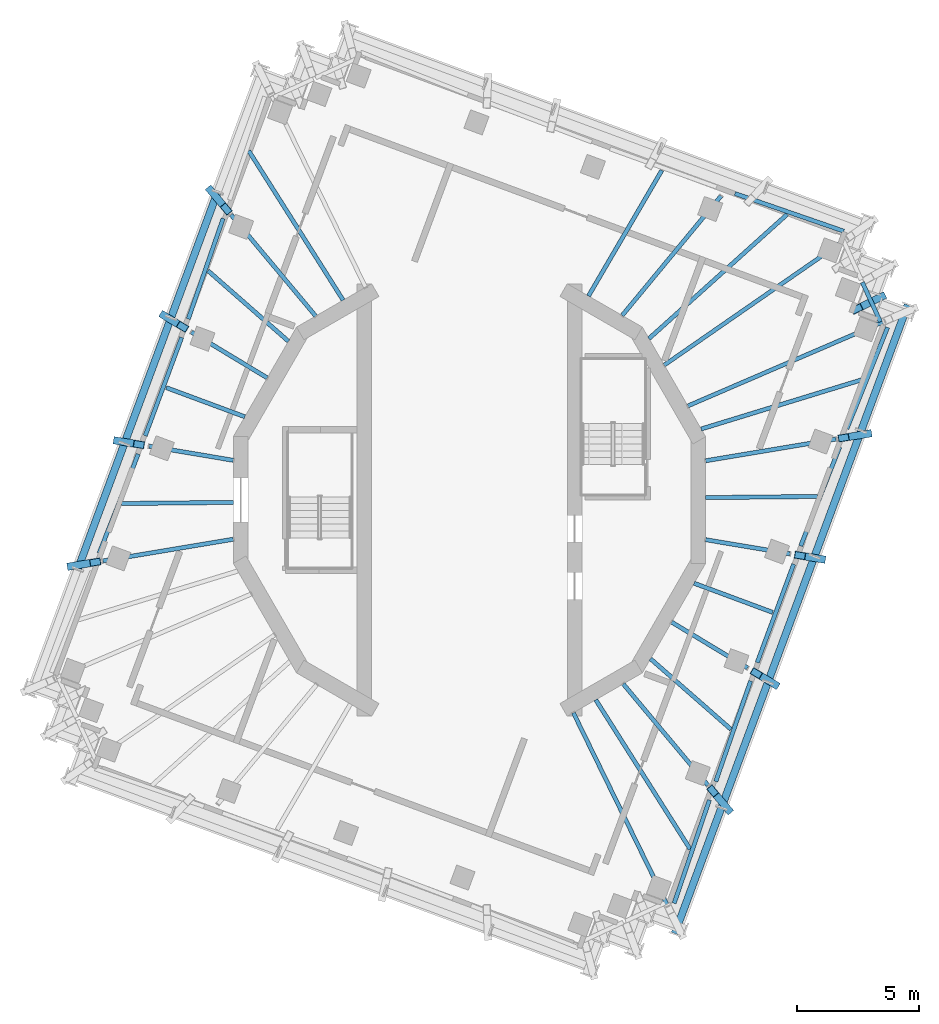
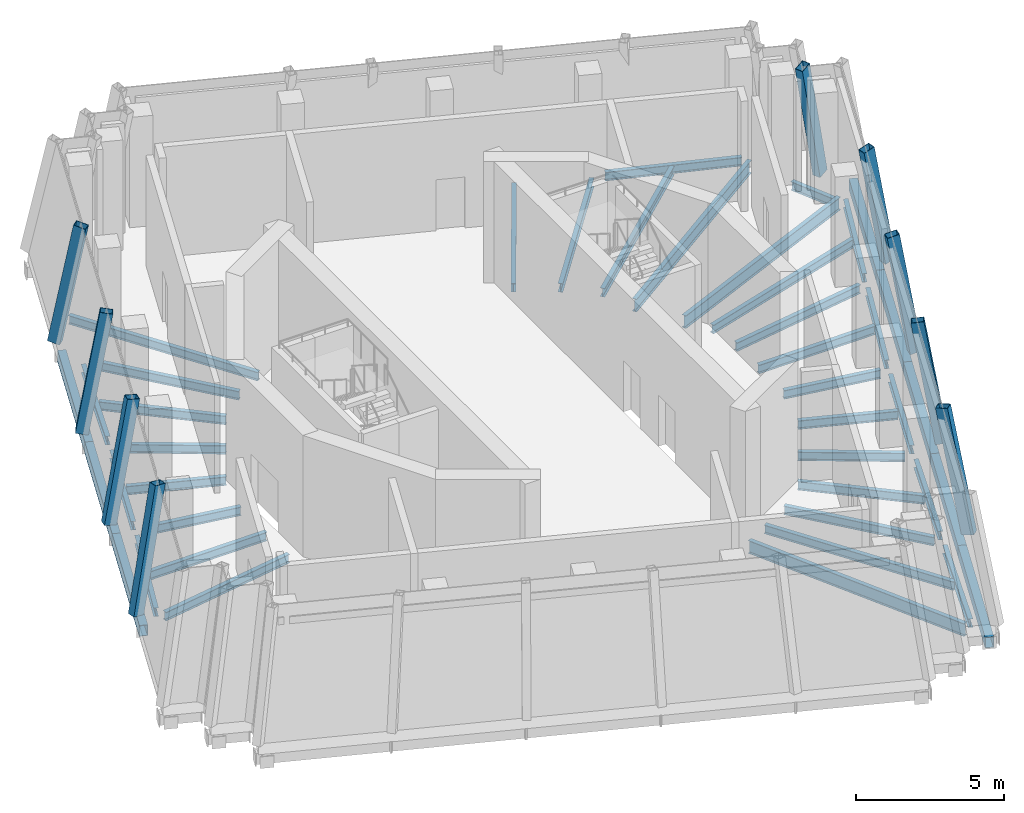
# One storey, part 2 of 13: 33 beams, 17 members, 10 elements without a shape of their own.
"""IFC4 building model written with IfcOpenShell, lengths in metres."""

from ifc_helpers import new_model, si_unit, direction, frame, origin, origin_2d, place, context, subcontext, project, spatial, hollow_rectangle, i_section, extrude, material, material_profile, profile_set, type_object, element, aggregate, save


model = new_model("IFC4")

# Units and contexts
model_context = context("Model", 3, precision=1e-05, world=origin(), true_north=direction((0.0, 1.0)))
body_context = subcontext(model_context, "Body", "Model", "MODEL_VIEW")
ifc_project = project(units=[si_unit("LENGTHUNIT", "METRE"), si_unit("AREAUNIT", "SQUARE_METRE"), si_unit("VOLUMEUNIT", "CUBIC_METRE"), si_unit("PLANEANGLEUNIT", "RADIAN"), si_unit("MASSUNIT", "GRAM", prefix="KILO")], contexts=[model_context])

# Site, building, storey
site_placement = place(None, origin())
site = spatial("IfcSite", under=ifc_project, at=site_placement, CompositionType="ELEMENT")
building_placement = place(site_placement, origin())
building = spatial("IfcBuilding", under=site, at=building_placement, Name="Cantera Rosa Tower", CompositionType="ELEMENT")
storey_placement = place(building_placement, frame((0.0, 0.0, 350.699951171875)))
storey = spatial("IfcBuildingStorey", under=building, at=storey_placement, Name="L79", CompositionType="ELEMENT", Elevation=350.699951171875)

# Curtain wall, member
ifc_material_1 = material(Name="Aluminium frame with clear glass", Category="aluminium")
curtain_wall_type = type_object("IfcCurtainWallType", Name="CW4 CROWN GLAZING", PredefinedType="NOTDEFINED", material=ifc_material_1)
curtain_wall_1_placement = place(storey_placement, origin())
curtain_wall_1 = element("IfcCurtainWall", 1, at=curtain_wall_1_placement, inside=storey, type_object=curtain_wall_type, Name="CW4 L79-11", PredefinedType="NOTDEFINED")
ifc_material_2 = material(Name="Steel S355J2 (EN 10025-2)", Category="steel")
ifc_material_profile_1 = material_profile(ifc_material_2, hollow_rectangle(XDim=0.300048828125, YDim=0.449951171875, WallThickness=0.01611328125, at=origin_2d()), Name="CROWN FRAME MULLION RHS 300x450x16")
ifc_profile_set_1 = profile_set([ifc_material_profile_1], Name="Steel S355J2 (EN 10025-2)")
member_type_1 = type_object("IfcMemberType", Name="CROWN FRAME MULLION RHS 300x450x16", PredefinedType="MULLION", material=ifc_profile_set_1)
member_1_placement = place(storey_placement, frame((-10.551513671875, 12.6220703125, 0.0), z_axis=(0.118480528563, -0.141802333699, 0.982778948955), x_axis=(0.767390470074, 0.641180057737, 0.0)))
member_1 = element("IfcMember", 2, at=member_1_placement, type_object=member_type_1, Name="CROWN FRAME rib L79-11", PredefinedType="MULLION", context=body_context, shape_type="SweptSolid", body=[
    extrude(hollow_rectangle(XDim=0.300048828125, YDim=0.449951171875, WallThickness=0.01611328125, at=origin_2d()), origin(), (0.0, 0.0, 1.0), 5.087646484375),
])

curtain_wall_2_placement = place(storey_placement, origin())
curtain_wall_2 = element("IfcCurtainWall", 3, at=curtain_wall_2_placement, inside=storey, type_object=curtain_wall_type, Name="CW4 L79-12", PredefinedType="NOTDEFINED")
member_2_placement = place(storey_placement, frame((-12.444091796875, 7.515380859375, 0.0), z_axis=(0.140312636829, -0.084727060825, 0.986475386976), x_axis=(0.516913795704, 0.856037457014, 0.0)))
member_2 = element("IfcMember", 4, at=member_2_placement, type_object=member_type_1, Name="CROWN FRAME rib L79-12", PredefinedType="MULLION", context=body_context, shape_type="SweptSolid", body=[
    extrude(hollow_rectangle(XDim=0.300048828125, YDim=0.449951171875, WallThickness=0.01611328125, at=origin_2d()), origin(), (0.0, 0.0, 1.0), 5.068603515625),
])

curtain_wall_3_placement = place(storey_placement, origin())
curtain_wall_3 = element("IfcCurtainWall", 5, at=curtain_wall_3_placement, inside=storey, type_object=curtain_wall_type, Name="CW4 L79-13", PredefinedType="NOTDEFINED")
member_3_placement = place(storey_placement, frame((-14.33642578125, 2.40869140625, 0.0), z_axis=(0.161650725547, -0.027166570086, 0.986474034326), x_axis=(0.165733088337, 0.986170646202, 0.0)))
member_3 = element("IfcMember", 6, at=member_3_placement, type_object=member_type_1, Name="CROWN FRAME rib L79-13", PredefinedType="MULLION", context=body_context, shape_type="SweptSolid", body=[
    extrude(hollow_rectangle(XDim=0.300048828125, YDim=0.449951171875, WallThickness=0.01611328125, at=origin_2d()), origin(), (0.0, 0.0, 1.0), 5.068603515625),
])

curtain_wall_4_placement = place(storey_placement, origin())
curtain_wall_4 = element("IfcCurtainWall", 7, at=curtain_wall_4_placement, inside=storey, type_object=curtain_wall_type, Name="CW4 L79-14", PredefinedType="NOTDEFINED")
member_4_placement = place(storey_placement, frame((-16.228759765625, -2.697998046875, 0.0), z_axis=(0.182302769732, 0.030327810074, 0.982774604924), x_axis=(-0.164104232371, 0.986443004394, 0.0)))
member_4 = element("IfcMember", 8, at=member_4_placement, type_object=member_type_1, Name="CROWN FRAME rib L79-14", PredefinedType="MULLION", context=body_context, shape_type="SweptSolid", body=[
    extrude(hollow_rectangle(XDim=0.300048828125, YDim=0.449951171875, WallThickness=0.01611328125, at=origin_2d()), origin(), (0.0, 0.0, 1.0), 5.087646484375),
])
aggregate(curtain_wall_4, [member_4])

curtain_wall_5_placement = place(storey_placement, origin())
curtain_wall_5 = element("IfcCurtainWall", 9, at=curtain_wall_5_placement, inside=storey, type_object=curtain_wall_type, Name="CW4 L79-29", PredefinedType="NOTDEFINED")
member_5_placement = place(storey_placement, frame((10.551513671875, -12.6220703125, 0.0), z_axis=(-0.118480528563, 0.141802333699, 0.982778948955), x_axis=(-0.767390470074, -0.641180057737, 0.0)))
member_5 = element("IfcMember", 10, at=member_5_placement, type_object=member_type_1, Name="CROWN FRAME rib L79-29", PredefinedType="MULLION", context=body_context, shape_type="SweptSolid", body=[
    extrude(hollow_rectangle(XDim=0.300048828125, YDim=0.449951171875, WallThickness=0.01611328125, at=origin_2d()), origin(), (0.0, 0.0, 1.0), 5.087646484375),
])

curtain_wall_6_placement = place(storey_placement, origin())
curtain_wall_6 = element("IfcCurtainWall", 11, at=curtain_wall_6_placement, inside=storey, type_object=curtain_wall_type, Name="CW4 L79-30", PredefinedType="NOTDEFINED")
member_6_placement = place(storey_placement, frame((12.444091796875, -7.515380859375, 0.0), z_axis=(-0.140312636829, 0.084727060825, 0.986475386976), x_axis=(-0.516913795704, -0.856037457014, 0.0)))
member_6 = element("IfcMember", 12, at=member_6_placement, type_object=member_type_1, Name="CROWN FRAME rib L79-30", PredefinedType="MULLION", context=body_context, shape_type="SweptSolid", body=[
    extrude(hollow_rectangle(XDim=0.300048828125, YDim=0.449951171875, WallThickness=0.01611328125, at=origin_2d()), origin(), (0.0, 0.0, 1.0), 5.068603515625),
])

curtain_wall_7_placement = place(storey_placement, origin())
curtain_wall_7 = element("IfcCurtainWall", 13, at=curtain_wall_7_placement, inside=storey, type_object=curtain_wall_type, Name="CW4 L79-31", PredefinedType="NOTDEFINED")
member_7_placement = place(storey_placement, frame((14.33642578125, -2.40869140625, 0.0), z_axis=(-0.161650725547, 0.027166570086, 0.986474034326), x_axis=(-0.165733088337, -0.986170646202, 0.0)))
member_7 = element("IfcMember", 14, at=member_7_placement, type_object=member_type_1, Name="CROWN FRAME rib L79-31", PredefinedType="MULLION", context=body_context, shape_type="SweptSolid", body=[
    extrude(hollow_rectangle(XDim=0.300048828125, YDim=0.449951171875, WallThickness=0.01611328125, at=origin_2d()), origin(), (0.0, 0.0, 1.0), 5.068603515625),
])

curtain_wall_8_placement = place(storey_placement, origin())
curtain_wall_8 = element("IfcCurtainWall", 15, at=curtain_wall_8_placement, inside=storey, type_object=curtain_wall_type, Name="CW4 L79-32", PredefinedType="NOTDEFINED")
member_8_placement = place(storey_placement, frame((16.228759765625, 2.697998046875, 0.0), z_axis=(-0.182302769732, -0.030327810074, 0.982774604924), x_axis=(0.164104232371, -0.986443004394, 0.0)))
member_8 = element("IfcMember", 16, at=member_8_placement, type_object=member_type_1, Name="CROWN FRAME rib L79-32", PredefinedType="MULLION", context=body_context, shape_type="SweptSolid", body=[
    extrude(hollow_rectangle(XDim=0.300048828125, YDim=0.449951171875, WallThickness=0.01611328125, at=origin_2d()), origin(), (0.0, 0.0, 1.0), 5.087646484375),
])

curtain_wall_9_placement = place(storey_placement, origin())
curtain_wall_9 = element("IfcCurtainWall", 17, at=curtain_wall_9_placement, inside=storey, type_object=curtain_wall_type, Name="CW4 L79-34", PredefinedType="NOTDEFINED")
member_9_placement = place(storey_placement, frame((16.808349609375, 8.291015625, 0.0), z_axis=(-0.187830109649, -0.092625931042, 0.97782426172), x_axis=(0.442282435739, -0.896875825874, 0.0)))
member_9 = element("IfcMember", 18, at=member_9_placement, type_object=member_type_1, Name="CROWN FRAME rib L79-34", PredefinedType="MULLION", context=body_context, shape_type="SweptSolid", body=[
    extrude(hollow_rectangle(XDim=0.300048828125, YDim=0.449951171875, WallThickness=0.01611328125, at=origin_2d()), origin(), (0.0, 0.0, 1.0), 5.11328125),
])
aggregate(curtain_wall_9, [member_9])

# Member
ifc_material_3 = material(Name="Steel S355J2 (EN 10025-2)", Category="steel")
ifc_material_profile_2 = material_profile(ifc_material_3, hollow_rectangle(XDim=0.300048828125, YDim=0.449951171875, WallThickness=0.01611328125, at=origin_2d()), Name="CROWN FRAME PURLIN RHS 300x450x16")
ifc_profile_set_2 = profile_set([ifc_material_profile_2], Name="Steel S355J2 (EN 10025-2)")
member_type_2 = type_object("IfcMemberType", Name="CROWN FRAME PURLIN RHS 300x450x16", PredefinedType="PURLIN", material=ifc_profile_set_2)
member_10_placement = place(storey_placement, frame((-10.30224609375, 12.59130859375, -0.675048828125), z_axis=(-0.347476727586, -0.937688607047, 0.0), x_axis=(0.937688607047, -0.347476727586, 0.0)))
member_10 = element("IfcMember", 19, at=member_10_placement, type_object=member_type_2, Name="CROWN FRAME purlin L79-11", PredefinedType="PURLIN", context=body_context, shape_type="SweptSolid", body=[
    extrude(hollow_rectangle(XDim=0.300048828125, YDim=0.449951171875, WallThickness=0.01611328125, at=origin_2d()), origin(), (0.0, 0.0, 1.0), 5.484619140625),
])

aggregate(curtain_wall_1, [member_1, member_10])

member_11_placement = place(storey_placement, frame((-12.2080078125, 7.448486328125, -0.675048828125), z_axis=(-0.347476727586, -0.937688607047, 0.0), x_axis=(0.937688607047, -0.347476727586, 0.0)))
member_11 = element("IfcMember", 20, at=member_11_placement, type_object=member_type_2, Name="CROWN FRAME purlin L79-12", PredefinedType="PURLIN", context=body_context, shape_type="SweptSolid", body=[
    extrude(hollow_rectangle(XDim=0.300048828125, YDim=0.449951171875, WallThickness=0.01611328125, at=origin_2d()), origin(), (0.0, 0.0, 1.0), 5.484619140625),
])

aggregate(curtain_wall_2, [member_2, member_11])

member_12_placement = place(storey_placement, frame((-14.11376953125, 2.3056640625, -0.675048828125), z_axis=(-0.347476727586, -0.937688607047, 0.0), x_axis=(0.937688607047, -0.347476727586, 0.0)))
member_12 = element("IfcMember", 21, at=member_12_placement, type_object=member_type_2, Name="CROWN FRAME purlin L79-13", PredefinedType="PURLIN", context=body_context, shape_type="SweptSolid", body=[
    extrude(hollow_rectangle(XDim=0.300048828125, YDim=0.449951171875, WallThickness=0.01611328125, at=origin_2d()), origin(), (0.0, 0.0, 1.0), 5.484619140625),
])

aggregate(curtain_wall_3, [member_3, member_12])

# Curtain wall, member
curtain_wall_10_placement = place(storey_placement, origin())
curtain_wall_10 = element("IfcCurtainWall", 22, at=curtain_wall_10_placement, inside=storey, type_object=curtain_wall_type, Name="CW4 L79-28", PredefinedType="NOTDEFINED")
member_13_placement = place(storey_placement, frame((8.396484375, -17.73388671875, -0.675048828125), z_axis=(0.347491231941, 0.93768323208, 0.0), x_axis=(-0.93768323208, 0.347491231941, 0.0)))
member_13 = element("IfcMember", 23, at=member_13_placement, type_object=member_type_2, Name="CROWN FRAME purlin L79-28", PredefinedType="PURLIN", context=body_context, shape_type="SweptSolid", body=[
    extrude(hollow_rectangle(XDim=0.300048828125, YDim=0.449951171875, WallThickness=0.01611328125, at=origin_2d()), origin(), (0.0, 0.0, 1.0), 5.484375),
])
aggregate(curtain_wall_10, [member_13])

# Member
member_14_placement = place(storey_placement, frame((10.30224609375, -12.59130859375, -0.675048828125), z_axis=(0.347476727586, 0.937688607047, 0.0), x_axis=(-0.937688607047, 0.347476727586, 0.0)))
member_14 = element("IfcMember", 24, at=member_14_placement, type_object=member_type_2, Name="CROWN FRAME purlin L79-29", PredefinedType="PURLIN", context=body_context, shape_type="SweptSolid", body=[
    extrude(hollow_rectangle(XDim=0.300048828125, YDim=0.449951171875, WallThickness=0.01611328125, at=origin_2d()), origin(), (0.0, 0.0, 1.0), 5.484619140625),
])

aggregate(curtain_wall_5, [member_5, member_14])

member_15_placement = place(storey_placement, frame((12.2080078125, -7.448486328125, -0.675048828125), z_axis=(0.347476727586, 0.937688607047, 0.0), x_axis=(-0.937688607047, 0.347476727586, 0.0)))
member_15 = element("IfcMember", 25, at=member_15_placement, type_object=member_type_2, Name="CROWN FRAME purlin L79-30", PredefinedType="PURLIN", context=body_context, shape_type="SweptSolid", body=[
    extrude(hollow_rectangle(XDim=0.300048828125, YDim=0.449951171875, WallThickness=0.01611328125, at=origin_2d()), origin(), (0.0, 0.0, 1.0), 5.484619140625),
])

aggregate(curtain_wall_6, [member_6, member_15])

member_16_placement = place(storey_placement, frame((14.11376953125, -2.3056640625, -0.675048828125), z_axis=(0.347476727586, 0.937688607047, 0.0), x_axis=(-0.937688607047, 0.347476727586, 0.0)))
member_16 = element("IfcMember", 26, at=member_16_placement, type_object=member_type_2, Name="CROWN FRAME purlin L79-31", PredefinedType="PURLIN", context=body_context, shape_type="SweptSolid", body=[
    extrude(hollow_rectangle(XDim=0.300048828125, YDim=0.449951171875, WallThickness=0.01611328125, at=origin_2d()), origin(), (0.0, 0.0, 1.0), 5.484619140625),
])

aggregate(curtain_wall_7, [member_7, member_16])

member_17_placement = place(storey_placement, frame((16.01953125, 2.837158203125, -0.675048828125), z_axis=(0.347491231941, 0.93768323208, 0.0), x_axis=(-0.93768323208, 0.347491231941, 0.0)))
member_17 = element("IfcMember", 27, at=member_17_placement, type_object=member_type_2, Name="CROWN FRAME purlin L79-32", PredefinedType="PURLIN", context=body_context, shape_type="SweptSolid", body=[
    extrude(hollow_rectangle(XDim=0.300048828125, YDim=0.449951171875, WallThickness=0.01611328125, at=origin_2d()), origin(), (0.0, 0.0, 1.0), 5.484375),
])

aggregate(curtain_wall_8, [member_8, member_17])

# Beams
ifc_material_4 = material(Name="Steel ASTM A992 (Fy 345 MPa)", Category="steel")
ifc_material_profile_3 = material_profile(ifc_material_4, i_section(OverallWidth=0.1708984375, OverallDepth=0.35595703125, WebThickness=0.00732421875, FlangeThickness=0.01171875, FilletRadius=0.010009765625, at=origin_2d()), Name="W360X51")
ifc_profile_set_3 = profile_set([ifc_material_profile_3], Name="Steel ASTM A992 (Fy 345 MPa)")
beam_type_1 = type_object("IfcBeamType", Name="STEEL BEAM W360X51", PredefinedType="BEAM", material=ifc_profile_set_3)
beam_1_placement = place(storey_placement, frame((10.289306640625, 12.4345703125, -0.6279296875), z_axis=(-0.637503906509, -0.7704471229, 0.0), x_axis=(0.7704471229, -0.637503906509, 0.0)))
element("IfcBeam", 28, at=beam_1_placement, inside=storey, type_object=beam_type_1, Name="CG-Z6-02 L79", PredefinedType="BEAM", context=body_context, shape_type="SweptSolid", body=[
    extrude(i_section(OverallWidth=0.1708984375, OverallDepth=0.35595703125, WebThickness=0.00732421875, FlangeThickness=0.01171875, FilletRadius=0.010009765625, at=origin_2d()), origin(), (0.0, 0.0, 1.0), 6.343017578125),
])
beam_2_placement = place(storey_placement, frame((-9.749755859375, 11.6630859375, -0.6279296875), z_axis=(0.641345116657, -0.767252527751, 0.0), x_axis=(0.767252527751, 0.641345116657, 0.0)))
element("IfcBeam", 29, at=beam_2_placement, inside=storey, type_object=beam_type_1, Name="CG-Z6-04 L79", PredefinedType="BEAM", context=body_context, shape_type="SweptSolid", body=[
    extrude(i_section(OverallWidth=0.1708984375, OverallDepth=0.35595703125, WebThickness=0.00732421875, FlangeThickness=0.01171875, FilletRadius=0.010009765625, at=origin_2d()), origin(), (0.0, 0.0, 1.0), 5.396484375),
])
beam_3_placement = place(storey_placement, frame((-11.3740234375, 6.869140625, -0.6279296875), z_axis=(0.856016101231, -0.516949160394, 0.0), x_axis=(0.516949160394, 0.856016101231, 0.0)))
element("IfcBeam", 30, at=beam_3_placement, inside=storey, type_object=beam_type_1, Name="CG-Z6-05 L79", PredefinedType="BEAM", context=body_context, shape_type="SweptSolid", body=[
    extrude(i_section(OverallWidth=0.1708984375, OverallDepth=0.35595703125, WebThickness=0.00732421875, FlangeThickness=0.01171875, FilletRadius=0.010009765625, at=origin_2d()), origin(), (0.0, 0.0, 1.0), 3.626220703125),
])
beam_4_placement = place(storey_placement, frame((-13.103759765625, 2.20166015625, -0.6279296875), z_axis=(0.986172007788, -0.165724986212, 0.0), x_axis=(0.165724986212, 0.986172007788, 0.0)))
element("IfcBeam", 31, at=beam_4_placement, inside=storey, type_object=beam_type_1, Name="CG-Z6-06 L79", PredefinedType="BEAM", context=body_context, shape_type="SweptSolid", body=[
    extrude(i_section(OverallWidth=0.1708984375, OverallDepth=0.35595703125, WebThickness=0.00732421875, FlangeThickness=0.01171875, FilletRadius=0.010009765625, at=origin_2d()), origin(), (0.0, 0.0, 1.0), 3.492919921875),
])
beam_5_placement = place(storey_placement, frame((-14.99560546875, -2.492919921875, -0.6279296875), z_axis=(0.986459710616, 0.164003778405, 0.0), x_axis=(-0.164003778405, 0.986459710616, 0.0)))
element("IfcBeam", 32, at=beam_5_placement, inside=storey, type_object=beam_type_1, Name="CG-Z6-07 L79", PredefinedType="BEAM", context=body_context, shape_type="SweptSolid", body=[
    extrude(i_section(OverallWidth=0.1708984375, OverallDepth=0.35595703125, WebThickness=0.00732421875, FlangeThickness=0.01171875, FilletRadius=0.010009765625, at=origin_2d()), origin(), (0.0, 0.0, 1.0), 5.40966796875),
])
beam_6_placement = place(storey_placement, frame((9.749755859375, -11.6630859375, -0.6279296875), z_axis=(-0.641345116657, 0.767252527751, 0.0), x_axis=(-0.767252527751, -0.641345116657, 0.0)))
element("IfcBeam", 33, at=beam_6_placement, inside=storey, type_object=beam_type_1, Name="CG-Z6-12 L79", PredefinedType="BEAM", context=body_context, shape_type="SweptSolid", body=[
    extrude(i_section(OverallWidth=0.1708984375, OverallDepth=0.35595703125, WebThickness=0.00732421875, FlangeThickness=0.01171875, FilletRadius=0.010009765625, at=origin_2d()), origin(), (0.0, 0.0, 1.0), 5.396484375),
])
beam_7_placement = place(storey_placement, frame((11.3740234375, -6.869140625, -0.6279296875), z_axis=(-0.856016101231, 0.516949160394, 0.0), x_axis=(-0.516949160394, -0.856016101231, 0.0)))
element("IfcBeam", 34, at=beam_7_placement, inside=storey, type_object=beam_type_1, Name="CG-Z6-13 L79", PredefinedType="BEAM", context=body_context, shape_type="SweptSolid", body=[
    extrude(i_section(OverallWidth=0.1708984375, OverallDepth=0.35595703125, WebThickness=0.00732421875, FlangeThickness=0.01171875, FilletRadius=0.010009765625, at=origin_2d()), origin(), (0.0, 0.0, 1.0), 3.626220703125),
])
beam_8_placement = place(storey_placement, frame((13.103759765625, -2.20166015625, -0.6279296875), z_axis=(-0.986172007788, 0.165724986212, 0.0), x_axis=(-0.165724986212, -0.986172007788, 0.0)))
element("IfcBeam", 35, at=beam_8_placement, inside=storey, type_object=beam_type_1, Name="CG-Z6-14 L79", PredefinedType="BEAM", context=body_context, shape_type="SweptSolid", body=[
    extrude(i_section(OverallWidth=0.1708984375, OverallDepth=0.35595703125, WebThickness=0.00732421875, FlangeThickness=0.01171875, FilletRadius=0.010009765625, at=origin_2d()), origin(), (0.0, 0.0, 1.0), 3.492919921875),
])
beam_9_placement = place(storey_placement, frame((14.99560546875, 2.492919921875, -0.6279296875), z_axis=(-0.986459710616, -0.164003778405, 0.0), x_axis=(0.164003778405, -0.986459710616, 0.0)))
element("IfcBeam", 36, at=beam_9_placement, inside=storey, type_object=beam_type_1, Name="CG-Z6-15 L79", PredefinedType="BEAM", context=body_context, shape_type="SweptSolid", body=[
    extrude(i_section(OverallWidth=0.1708984375, OverallDepth=0.35595703125, WebThickness=0.00732421875, FlangeThickness=0.01171875, FilletRadius=0.010009765625, at=origin_2d()), origin(), (0.0, 0.0, 1.0), 5.40966796875),
])
beam_10_placement = place(storey_placement, frame((12.994873046875, 11.683837890625, -0.6279296875), z_axis=(-0.743608670291, -0.668615095155, 0.0), x_axis=(0.668615095155, -0.743608670291, 0.0)))
element("IfcBeam", 37, at=beam_10_placement, inside=storey, type_object=beam_type_1, Name="CB-Z6-01 L79", PredefinedType="BEAM", context=body_context, shape_type="SweptSolid", body=[
    extrude(i_section(OverallWidth=0.1708984375, OverallDepth=0.35595703125, WebThickness=0.00732421875, FlangeThickness=0.01171875, FilletRadius=0.010009765625, at=origin_2d()), origin(), (0.0, 0.0, 1.0), 7.6015625),
])
beam_11_placement = place(storey_placement, frame((7.86669921875, 13.47998046875, -0.6279296875), z_axis=(-0.504021583801, -0.863691057649, 0.0), x_axis=(0.863691057649, -0.504021583801, 0.0)))
element("IfcBeam", 38, at=beam_11_placement, inside=storey, type_object=beam_type_1, Name="CB-Z6-02 L79", PredefinedType="BEAM", context=body_context, shape_type="SweptSolid", body=[
    extrude(i_section(OverallWidth=0.1708984375, OverallDepth=0.35595703125, WebThickness=0.00732421875, FlangeThickness=0.01171875, FilletRadius=0.010009765625, at=origin_2d()), origin(), (0.0, 0.0, 1.0), 5.9482421875),
])
beam_12_placement = place(storey_placement, frame((-9.028076171875, 14.28271484375, -0.6279296875), z_axis=(0.534290257723, -0.845301082753, 0.0), x_axis=(0.845301082753, 0.534290257723, 0.0)))
element("IfcBeam", 39, at=beam_12_placement, inside=storey, type_object=beam_type_1, Name="CB-Z6-03 L79", PredefinedType="BEAM", context=body_context, shape_type="SweptSolid", body=[
    extrude(i_section(OverallWidth=0.1708984375, OverallDepth=0.35595703125, WebThickness=0.00732421875, FlangeThickness=0.01171875, FilletRadius=0.010009765625, at=origin_2d()), origin(), (0.0, 0.0, 1.0), 7.229736328125),
])
beam_13_placement = place(storey_placement, frame((-10.6962890625, 9.379638671875, -0.6279296875), z_axis=(0.751850773412, -0.65933331064, 0.0), x_axis=(0.65933331064, 0.751850773412, 0.0)))
element("IfcBeam", 40, at=beam_13_placement, inside=storey, type_object=beam_type_1, Name="CB-Z6-04 L79", PredefinedType="BEAM", context=body_context, shape_type="SweptSolid", body=[
    extrude(i_section(OverallWidth=0.1708984375, OverallDepth=0.35595703125, WebThickness=0.00732421875, FlangeThickness=0.01171875, FilletRadius=0.010009765625, at=origin_2d()), origin(), (0.0, 0.0, 1.0), 4.3779296875),
])
beam_14_placement = place(storey_placement, frame((-12.402587890625, 4.59619140625, -0.6279296875), z_axis=(0.937680024402, -0.347499887537, 0.0), x_axis=(0.347499887537, 0.937680024402, 0.0)))
element("IfcBeam", 41, at=beam_14_placement, inside=storey, type_object=beam_type_1, Name="CB-Z6-05 L79", PredefinedType="BEAM", context=body_context, shape_type="SweptSolid", body=[
    extrude(i_section(OverallWidth=0.1708984375, OverallDepth=0.35595703125, WebThickness=0.00732421875, FlangeThickness=0.01171875, FilletRadius=0.010009765625, at=origin_2d()), origin(), (0.0, 0.0, 1.0), 3.428466796875),
])
beam_15_placement = place(storey_placement, frame((-14.2255859375, -0.144287109375, -0.6279296875), z_axis=(0.999948408921, 0.010157730843, 0.0), x_axis=(-0.010157730843, 0.999948408921, 0.0)))
element("IfcBeam", 42, at=beam_15_placement, inside=storey, type_object=beam_type_1, Name="CB-Z6-06 L79", PredefinedType="BEAM", context=body_context, shape_type="SweptSolid", body=[
    extrude(i_section(OverallWidth=0.1708984375, OverallDepth=0.35595703125, WebThickness=0.00732421875, FlangeThickness=0.01171875, FilletRadius=0.010009765625, at=origin_2d()), origin(), (0.0, 0.0, 1.0), 4.566650390625),
])
beam_16_placement = place(storey_placement, frame((9.028076171875, -14.28271484375, -0.6279296875), z_axis=(-0.534290257723, 0.845301082753, 0.0), x_axis=(-0.845301082753, -0.534290257723, 0.0)))
element("IfcBeam", 43, at=beam_16_placement, inside=storey, type_object=beam_type_1, Name="CB-Z6-10 L79", PredefinedType="BEAM", context=body_context, shape_type="SweptSolid", body=[
    extrude(i_section(OverallWidth=0.1708984375, OverallDepth=0.35595703125, WebThickness=0.00732421875, FlangeThickness=0.01171875, FilletRadius=0.010009765625, at=origin_2d()), origin(), (0.0, 0.0, 1.0), 7.229736328125),
])
beam_17_placement = place(storey_placement, frame((10.6962890625, -9.379638671875, -0.6279296875), z_axis=(-0.751850773412, 0.65933331064, 0.0), x_axis=(-0.65933331064, -0.751850773412, 0.0)))
element("IfcBeam", 44, at=beam_17_placement, inside=storey, type_object=beam_type_1, Name="CB-Z6-11 L79", PredefinedType="BEAM", context=body_context, shape_type="SweptSolid", body=[
    extrude(i_section(OverallWidth=0.1708984375, OverallDepth=0.35595703125, WebThickness=0.00732421875, FlangeThickness=0.01171875, FilletRadius=0.010009765625, at=origin_2d()), origin(), (0.0, 0.0, 1.0), 4.3779296875),
])
beam_18_placement = place(storey_placement, frame((12.402587890625, -4.59619140625, -0.6279296875), z_axis=(-0.937680024402, 0.347499887537, 0.0), x_axis=(-0.347499887537, -0.937680024402, 0.0)))
element("IfcBeam", 45, at=beam_18_placement, inside=storey, type_object=beam_type_1, Name="CB-Z6-12 L79", PredefinedType="BEAM", context=body_context, shape_type="SweptSolid", body=[
    extrude(i_section(OverallWidth=0.1708984375, OverallDepth=0.35595703125, WebThickness=0.00732421875, FlangeThickness=0.01171875, FilletRadius=0.010009765625, at=origin_2d()), origin(), (0.0, 0.0, 1.0), 3.428466796875),
])
beam_19_placement = place(storey_placement, frame((14.2255859375, 0.144287109375, -0.6279296875), z_axis=(-0.999948408921, -0.010157730843, 0.0), x_axis=(0.010157730843, -0.999948408921, 0.0)))
element("IfcBeam", 46, at=beam_19_placement, inside=storey, type_object=beam_type_1, Name="CB-Z6-13 L79", PredefinedType="BEAM", context=body_context, shape_type="SweptSolid", body=[
    extrude(i_section(OverallWidth=0.1708984375, OverallDepth=0.35595703125, WebThickness=0.00732421875, FlangeThickness=0.01171875, FilletRadius=0.010009765625, at=origin_2d()), origin(), (0.0, 0.0, 1.0), 4.566650390625),
])
beam_20_placement = place(storey_placement, frame((16.1552734375, 4.9501953125, -0.6279296875), z_axis=(-0.956118457888, -0.292980365359, 0.0), x_axis=(0.292980365359, -0.956118457888, 0.0)))
element("IfcBeam", 47, at=beam_20_placement, inside=storey, type_object=beam_type_1, Name="CB-Z6-14 L79", PredefinedType="BEAM", context=body_context, shape_type="SweptSolid", body=[
    extrude(i_section(OverallWidth=0.1708984375, OverallDepth=0.35595703125, WebThickness=0.00732421875, FlangeThickness=0.01171875, FilletRadius=0.010009765625, at=origin_2d()), origin(), (0.0, 0.0, 1.0), 6.984619140625),
])
ifc_material_5 = material(Name="Steel ASTM A992 (Fy 345 MPa)", Category="steel")
ifc_material_profile_4 = material_profile(ifc_material_5, i_section(OverallWidth=0.166015625, OverallDepth=0.528076171875, WebThickness=0.009765625, FlangeThickness=0.013671875, FilletRadius=0.0126953125, at=origin_2d()), Name="W530X74")
ifc_profile_set_4 = profile_set([ifc_material_profile_4], Name="Steel ASTM A992 (Fy 345 MPa)")
beam_type_2 = type_object("IfcBeamType", Name="STEEL BEAM W530X74", PredefinedType="BEAM", material=ifc_profile_set_4)
beam_21_placement = place(storey_placement, frame((15.44091796875, 10.69140625, -0.7138671875), z_axis=(-0.822156411388, -0.569261657951, 0.0), x_axis=(0.569261657951, -0.822156411388, 0.0)))
element("IfcBeam", 48, at=beam_21_placement, inside=storey, type_object=beam_type_2, Name="CG-Z6-01 L79", PredefinedType="BEAM", context=body_context, shape_type="SweptSolid", body=[
    extrude(i_section(OverallWidth=0.166015625, OverallDepth=0.528076171875, WebThickness=0.009765625, FlangeThickness=0.013671875, FilletRadius=0.0126953125, at=origin_2d()), origin(), (0.0, 0.0, 1.0), 9.089111328125),
])
beam_22_placement = place(storey_placement, frame((8.110595703125, -16.60546875, -0.7138671875), z_axis=(-0.43886916796, 0.898550974299, 0.0), x_axis=(-0.898550974299, -0.43886916796, 0.0)))
element("IfcBeam", 49, at=beam_22_placement, inside=storey, type_object=beam_type_2, Name="CG-Z6-11 L79", PredefinedType="BEAM", context=body_context, shape_type="SweptSolid", body=[
    extrude(i_section(OverallWidth=0.166015625, OverallDepth=0.528076171875, WebThickness=0.009765625, FlangeThickness=0.013671875, FilletRadius=0.0126953125, at=origin_2d()), origin(), (0.0, 0.0, 1.0), 8.7978515625),
])
beam_23_placement = place(storey_placement, frame((16.97314453125, 7.31005859375, -0.7138671875), z_axis=(-0.918446906986, -0.395544282031, 0.0), x_axis=(0.395544282031, -0.918446906986, 0.0)))
element("IfcBeam", 50, at=beam_23_placement, inside=storey, type_object=beam_type_2, Name="CG-Z6-16 L79", PredefinedType="BEAM", context=body_context, shape_type="SweptSolid", body=[
    extrude(i_section(OverallWidth=0.166015625, OverallDepth=0.528076171875, WebThickness=0.009765625, FlangeThickness=0.013671875, FilletRadius=0.0126953125, at=origin_2d()), origin(), (0.0, 0.0, 1.0), 8.754638671875),
])
ifc_material_6 = material(Name="Steel ASTM A992 (Fy 345 MPa)", Category="steel")
ifc_material_profile_5 = material_profile(ifc_material_6, i_section(OverallWidth=0.1708984375, OverallDepth=0.35595703125, WebThickness=0.00732421875, FlangeThickness=0.01171875, FilletRadius=0.010009765625, at=origin_2d()), Name="W360X51")
ifc_profile_set_5 = profile_set([ifc_material_profile_5], Name="Steel ASTM A992 (Fy 345 MPa)")
beam_type_3 = type_object("IfcBeamType", Name="STEEL SPANDREL BEAM W360X51", PredefinedType="SPANDREL", material=ifc_profile_set_5)
beam_24_placement = place(storey_placement, frame((15.3095703125, 10.9931640625, -0.6279296875), z_axis=(-0.944933682423, 0.327261876519, 0.0), x_axis=(-0.327261876519, -0.944933682423, 0.0)))
element("IfcBeam", 51, at=beam_24_placement, inside=storey, type_object=beam_type_3, Name="CEB-Z6-01 L79", PredefinedType="SPANDREL", context=body_context, shape_type="SweptSolid", body=[
    extrude(i_section(OverallWidth=0.1708984375, OverallDepth=0.35595703125, WebThickness=0.00732421875, FlangeThickness=0.01171875, FilletRadius=0.010009765625, at=origin_2d()), origin(), (0.0, 0.0, 1.0), 4.710205078125),
])
beam_25_placement = place(storey_placement, frame((-10.073486328125, 11.51513671875, -0.6279296875), z_axis=(-0.327646018922, -0.944800553707, 0.0), x_axis=(0.944800553707, -0.327646018922, 0.0)))
element("IfcBeam", 52, at=beam_25_placement, inside=storey, type_object=beam_type_3, Name="CEB-Z6-08 L79", PredefinedType="SPANDREL", context=body_context, shape_type="SweptSolid", body=[
    extrude(i_section(OverallWidth=0.1708984375, OverallDepth=0.35595703125, WebThickness=0.00732421875, FlangeThickness=0.01171875, FilletRadius=0.010009765625, at=origin_2d()), origin(), (0.0, 0.0, 1.0), 4.35302734375),
])
beam_26_placement = place(storey_placement, frame((-11.769775390625, 6.649169921875, -0.6279296875), z_axis=(-0.34748487041, -0.937685589543, 0.0), x_axis=(0.937685589543, -0.34748487041, 0.0)))
element("IfcBeam", 53, at=beam_26_placement, inside=storey, type_object=beam_type_3, Name="CEB-Z6-09 L79", PredefinedType="SPANDREL", context=body_context, shape_type="SweptSolid", body=[
    extrude(i_section(OverallWidth=0.1708984375, OverallDepth=0.35595703125, WebThickness=0.00732421875, FlangeThickness=0.01171875, FilletRadius=0.010009765625, at=origin_2d()), origin(), (0.0, 0.0, 1.0), 4.2900390625),
])
beam_27_placement = place(storey_placement, frame((-13.54638671875, 1.879150390625, -0.6279296875), z_axis=(-0.367180580844, -0.930149676692, 0.0), x_axis=(0.930149676692, -0.367180580844, 0.0)))
element("IfcBeam", 54, at=beam_27_placement, inside=storey, type_object=beam_type_3, Name="CEB-Z6-10 L79", PredefinedType="SPANDREL", context=body_context, shape_type="SweptSolid", body=[
    extrude(i_section(OverallWidth=0.1708984375, OverallDepth=0.35595703125, WebThickness=0.00732421875, FlangeThickness=0.01171875, FilletRadius=0.010009765625, at=origin_2d()), origin(), (0.0, 0.0, 1.0), 4.35302734375),
])
beam_28_placement = place(storey_placement, frame((8.37158203125, -16.496337890625, -0.6279296875), z_axis=(0.322914460414, 0.946428154302, 0.0), x_axis=(-0.946428154302, 0.322914460414, 0.0)))
element("IfcBeam", 55, at=beam_28_placement, inside=storey, type_object=beam_type_3, Name="CEB-Z6-20 L79", PredefinedType="SPANDREL", context=body_context, shape_type="SweptSolid", body=[
    extrude(i_section(OverallWidth=0.1708984375, OverallDepth=0.35595703125, WebThickness=0.00732421875, FlangeThickness=0.01171875, FilletRadius=0.010009765625, at=origin_2d()), origin(), (0.0, 0.0, 1.0), 4.463623046875),
])
beam_29_placement = place(storey_placement, frame((10.073486328125, -11.51513671875, -0.6279296875), z_axis=(0.327646018922, 0.944800553707, 0.0), x_axis=(-0.944800553707, 0.327646018922, 0.0)))
element("IfcBeam", 56, at=beam_29_placement, inside=storey, type_object=beam_type_3, Name="CEB-Z6-21 L79", PredefinedType="SPANDREL", context=body_context, shape_type="SweptSolid", body=[
    extrude(i_section(OverallWidth=0.1708984375, OverallDepth=0.35595703125, WebThickness=0.00732421875, FlangeThickness=0.01171875, FilletRadius=0.010009765625, at=origin_2d()), origin(), (0.0, 0.0, 1.0), 4.35302734375),
])
beam_30_placement = place(storey_placement, frame((11.769775390625, -6.649169921875, -0.6279296875), z_axis=(0.34748487041, 0.937685589543, 0.0), x_axis=(-0.937685589543, 0.34748487041, 0.0)))
element("IfcBeam", 57, at=beam_30_placement, inside=storey, type_object=beam_type_3, Name="CEB-Z6-22 L79", PredefinedType="SPANDREL", context=body_context, shape_type="SweptSolid", body=[
    extrude(i_section(OverallWidth=0.1708984375, OverallDepth=0.35595703125, WebThickness=0.00732421875, FlangeThickness=0.01171875, FilletRadius=0.010009765625, at=origin_2d()), origin(), (0.0, 0.0, 1.0), 4.2900390625),
])
beam_31_placement = place(storey_placement, frame((13.54638671875, -1.879150390625, -0.6279296875), z_axis=(0.367180580844, 0.930149676692, 0.0), x_axis=(-0.930149676692, 0.367180580844, 0.0)))
element("IfcBeam", 58, at=beam_31_placement, inside=storey, type_object=beam_type_3, Name="CEB-Z6-23 L79", PredefinedType="SPANDREL", context=body_context, shape_type="SweptSolid", body=[
    extrude(i_section(OverallWidth=0.1708984375, OverallDepth=0.35595703125, WebThickness=0.00732421875, FlangeThickness=0.01171875, FilletRadius=0.010009765625, at=origin_2d()), origin(), (0.0, 0.0, 1.0), 4.35302734375),
])
beam_32_placement = place(storey_placement, frame((15.4404296875, 2.91357421875, -0.6279296875), z_axis=(0.371758420486, 0.92832950874, 0.0), x_axis=(-0.92832950874, 0.371758420486, 0.0)))
element("IfcBeam", 59, at=beam_32_placement, inside=storey, type_object=beam_type_3, Name="CEB-Z6-24 L79", PredefinedType="SPANDREL", context=body_context, shape_type="SweptSolid", body=[
    extrude(i_section(OverallWidth=0.1708984375, OverallDepth=0.35595703125, WebThickness=0.00732421875, FlangeThickness=0.01171875, FilletRadius=0.010009765625, at=origin_2d()), origin(), (0.0, 0.0, 1.0), 4.463623046875),
])
beam_33_placement = place(storey_placement, frame((16.807373046875, 7.28759765625, -0.6279296875), z_axis=(-0.416166397811, 0.909288474211, 0.0), x_axis=(-0.909288474211, -0.416166397811, 0.0)))
element("IfcBeam", 60, at=beam_33_placement, inside=storey, type_object=beam_type_3, Name="CEB-Z6-25 L79", PredefinedType="SPANDREL", context=body_context, shape_type="SweptSolid", body=[
    extrude(i_section(OverallWidth=0.1708984375, OverallDepth=0.35595703125, WebThickness=0.00732421875, FlangeThickness=0.01171875, FilletRadius=0.010009765625, at=origin_2d()), origin(), (0.0, 0.0, 1.0), 1.7734375),
])

save(model, "model.ifc")
